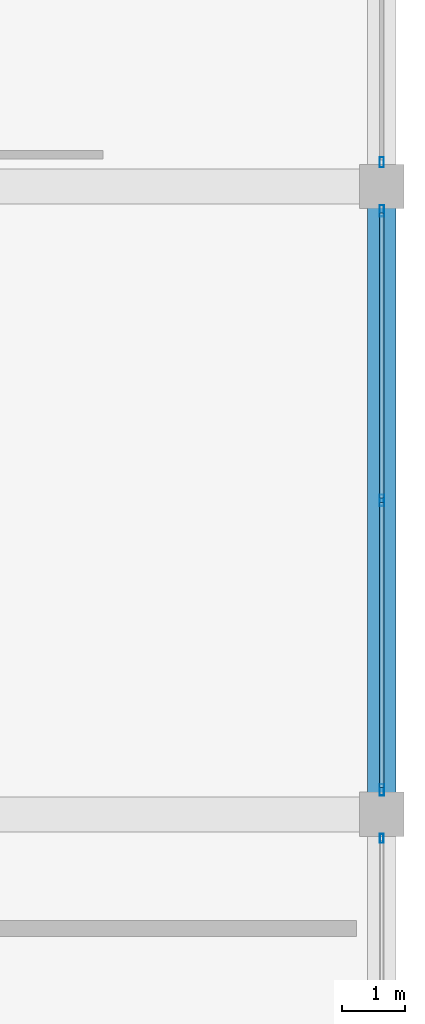
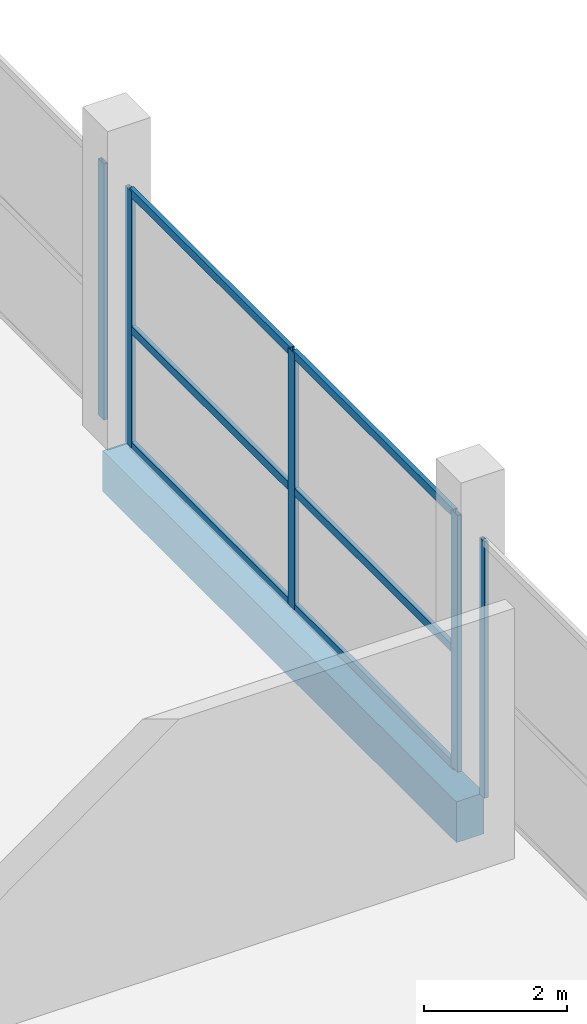
# One storey, part 36 of 72: 11 members, 1 beam, 3 elements without a shape of their own.
"""IFC4 building model written with IfcOpenShell, lengths in metres."""

from ifc_helpers import new_model, si_unit, direction, frame, origin, origin_2d, place, context, subcontext, project, spatial, rectangle, hollow_rectangle, extrude, material, layer, layer_set, material_profile, profile_set, type_object, element, aggregate, save


model = new_model("IFC4")

# Units and contexts
model_context = context("Model", 3, precision=1e-05, world=origin(), true_north=direction((0.0, 1.0)))
body_context = subcontext(model_context, "Body", "Model", "MODEL_VIEW")
ifc_project = project(units=[si_unit("LENGTHUNIT", "METRE"), si_unit("AREAUNIT", "SQUARE_METRE"), si_unit("VOLUMEUNIT", "CUBIC_METRE"), si_unit("PLANEANGLEUNIT", "RADIAN"), si_unit("MASSUNIT", "GRAM", prefix="KILO")], contexts=[model_context])

# Site, building, storey
site_placement = place(None, origin())
site = spatial("IfcSite", under=ifc_project, at=site_placement, CompositionType="ELEMENT")
building_placement = place(site_placement, origin())
building = spatial("IfcBuilding", under=site, at=building_placement, Name="Sillaruma Civic Art Gallery", CompositionType="ELEMENT")
storey_placement = place(building_placement, frame((0.0, 0.0, 10.8798828125)))
storey = spatial("IfcBuildingStorey", under=building, at=storey_placement, Name="L02", CompositionType="ELEMENT", Elevation=10.8798828125)

# Beam
ifc_material_1 = material(Name="Concrete H35 (35 MPa)", Category="concrete")
ifc_material_profile_1 = material_profile(ifc_material_1, rectangle(XDim=0.449951171875, YDim=0.699951171875, at=origin_2d()), Name="RCB450x700")
ifc_profile_set_1 = profile_set([ifc_material_profile_1], Name="Concrete H35 (35 MPa)")
beam_type = type_object("IfcBeamType", Name="BM-SPANDREL-RCB450x700", PredefinedType="SPANDREL", material=ifc_profile_set_1)
beam_placement = place(storey_placement, frame((176.39990234375, 19.800048828125, -0.60986328125), z_axis=(0.0, 1.0, 0.0), x_axis=(-1.0, 0.0, 0.0)))
element("IfcBeam", 1, at=beam_placement, inside=storey, type_object=beam_type, Name="Beam BS-03 (L01:T:3-4)", PredefinedType="SPANDREL", context=body_context, shape_type="SweptSolid", body=[
    extrude(rectangle(XDim=0.449951171875, YDim=0.699951171875, at=origin_2d()), origin(), (0.0, 0.0, 1.0), 9.89990234375),
])

# Curtain wall, member
ifc_material_2 = material(Name="Thermally Broken Extruded Aluminium 6063-T6", Category="aluminium")
ifc_layer_1 = layer(ifc_material_2, 0.139892578125, Name="Thermally Broken Extruded Aluminium 6063-T6")
ifc_layer_set_1 = layer_set([ifc_layer_1], Name="Thermally Broken Extruded Aluminium 6063-T6")
curtain_wall_type_1 = type_object("IfcCurtainWallType", Name="CW-UNI-11", PredefinedType="NOTDEFINED", material=ifc_layer_set_1)
curtain_wall_1_placement = place(storey_placement, origin())
curtain_wall_1 = element("IfcCurtainWall", 2, at=curtain_wall_1_placement, inside=storey, type_object=curtain_wall_type_1, Name="Unitised Curtain Wall CW-11 (CW-L02-ESTR-2)", PredefinedType="NOTDEFINED")
ifc_material_profile_2 = material_profile(ifc_material_2, hollow_rectangle(XDim=0.06005859375, YDim=0.139892578125, WallThickness=0.00341796875, at=origin_2d()), Name="CWM60x140")
ifc_profile_set_2 = profile_set([ifc_material_profile_2], Name="Thermally Broken Extruded Aluminium 6063-T6")
member_type_1 = type_object("IfcMemberType", Name="MEM-MUL-CWM60x140", PredefinedType="MULLION", material=ifc_profile_set_2)
member_1_placement = place(storey_placement, frame((176.39990234375, 19.419921875, 0.0), z_axis=(0.0, 0.0, 1.0), x_axis=(-1.0, 0.0, 0.0)))
member_1 = element("IfcMember", 3, at=member_1_placement, type_object=member_type_1, Name="CW-11 mullion 3", PredefinedType="MULLION", context=body_context, shape_type="SweptSolid", body=[
    extrude(hollow_rectangle(XDim=0.06005859375, YDim=0.139892578125, WallThickness=0.00341796875, at=origin_2d()), origin(), (0.0, 0.0, 1.0), 4.380126953125),
])
aggregate(curtain_wall_1, [member_1])

ifc_layer_2 = layer(ifc_material_2, 0.159912109375, Name="Thermally Broken Extruded Aluminium 6063-T6")
ifc_layer_set_2 = layer_set([ifc_layer_2], Name="Thermally Broken Extruded Aluminium 6063-T6")
curtain_wall_type_2 = type_object("IfcCurtainWallType", Name="CW-UNI-07", PredefinedType="NOTDEFINED", material=ifc_layer_set_2)
curtain_wall_2_placement = place(storey_placement, origin())
curtain_wall_2 = element("IfcCurtainWall", 4, at=curtain_wall_2_placement, inside=storey, type_object=curtain_wall_type_2, Name="Unitised Curtain Wall CW-07 (CW-L02-ESTR-4)", PredefinedType="NOTDEFINED")
ifc_material_profile_3 = material_profile(ifc_material_2, hollow_rectangle(XDim=0.06494140625, YDim=0.159912109375, WallThickness=0.00390625, at=origin_2d()), Name="CWM65x160")
ifc_profile_set_3 = profile_set([ifc_material_profile_3], Name="Thermally Broken Extruded Aluminium 6063-T6")
member_type_2 = type_object("IfcMemberType", Name="MEM-MUL-CWM65x160", PredefinedType="MULLION", material=ifc_profile_set_3)
member_2_placement = place(storey_placement, frame((176.39990234375, 30.08251953125, 0.0), z_axis=(0.0, 0.0, 1.0), x_axis=(-1.0, 0.0, 0.0)))
member_2 = element("IfcMember", 5, at=member_2_placement, type_object=member_type_2, Name="CW-07 mullion 1", PredefinedType="MULLION", context=body_context, shape_type="SweptSolid", body=[
    extrude(hollow_rectangle(XDim=0.06494140625, YDim=0.159912109375, WallThickness=0.00390625, at=origin_2d()), origin(), (0.0, 0.0, 1.0), 4.380126953125),
])
aggregate(curtain_wall_2, [member_2])

# Curtain wall, members
ifc_layer_3 = layer(ifc_material_2, 0.179931640625, Name="Thermally Broken Extruded Aluminium 6063-T6")
ifc_layer_set_3 = layer_set([ifc_layer_3], Name="Thermally Broken Extruded Aluminium 6063-T6")
curtain_wall_type_3 = type_object("IfcCurtainWallType", Name="CW-UNI-12", PredefinedType="NOTDEFINED", material=ifc_layer_set_3)
curtain_wall_3_placement = place(storey_placement, origin())
curtain_wall_3 = element("IfcCurtainWall", 6, at=curtain_wall_3_placement, inside=storey, type_object=curtain_wall_type_3, Name="Unitised Curtain Wall CW-12 (CW-L02-ESTR-3)", PredefinedType="NOTDEFINED")
ifc_material_profile_4 = material_profile(ifc_material_2, hollow_rectangle(XDim=0.070068359375, YDim=0.179931640625, WallThickness=0.00390625, at=origin_2d()), Name="CWM70x180")
ifc_profile_set_4 = profile_set([ifc_material_profile_4], Name="Thermally Broken Extruded Aluminium 6063-T6")
member_type_3 = type_object("IfcMemberType", Name="MEM-MUL-CWM70x180", PredefinedType="MULLION", material=ifc_profile_set_4)
member_3_placement = place(storey_placement, frame((176.39990234375, 20.18505859375, 0.0), z_axis=(0.0, 0.0, 1.0), x_axis=(-1.0, 0.0, 0.0)))
member_3 = element("IfcMember", 7, at=member_3_placement, type_object=member_type_3, Name="CW-12 mullion 1", PredefinedType="MULLION", context=body_context, shape_type="SweptSolid", body=[
    extrude(hollow_rectangle(XDim=0.070068359375, YDim=0.179931640625, WallThickness=0.00390625, at=origin_2d()), origin(), (0.0, 0.0, 1.0), 4.380126953125),
])
member_4_placement = place(storey_placement, frame((176.39990234375, 24.75, 0.0), z_axis=(0.0, 0.0, 1.0), x_axis=(-1.0, 0.0, 0.0)))
member_4 = element("IfcMember", 8, at=member_4_placement, type_object=member_type_3, Name="CW-12 mullion 2", PredefinedType="MULLION", context=body_context, shape_type="SweptSolid", body=[
    extrude(hollow_rectangle(XDim=0.070068359375, YDim=0.179931640625, WallThickness=0.00390625, at=origin_2d()), origin(), (0.0, 0.0, 1.0), 4.380126953125),
])
member_5_placement = place(storey_placement, frame((176.39990234375, 29.31494140625, 0.0), z_axis=(0.0, 0.0, 1.0), x_axis=(-1.0, 0.0, 0.0)))
member_5 = element("IfcMember", 9, at=member_5_placement, type_object=member_type_3, Name="CW-12 mullion 3", PredefinedType="MULLION", context=body_context, shape_type="SweptSolid", body=[
    extrude(hollow_rectangle(XDim=0.070068359375, YDim=0.179931640625, WallThickness=0.00390625, at=origin_2d()), origin(), (0.0, 0.0, 1.0), 4.380126953125),
])
ifc_material_profile_5 = material_profile(ifc_material_2, hollow_rectangle(XDim=0.070068359375, YDim=0.139892578125, WallThickness=0.00390625, at=origin_2d()), Name="CWT70x140")
ifc_profile_set_5 = profile_set([ifc_material_profile_5], Name="Thermally Broken Extruded Aluminium 6063-T6")
member_type_4 = type_object("IfcMemberType", Name="MEM-TRN-CWT70x140", PredefinedType="USERDEFINED", material=ifc_profile_set_5)
member_6_placement = place(storey_placement, frame((176.39990234375, 20.219970703125, 0.03515625), z_axis=(0.0, 1.0, 0.0), x_axis=(-1.0, 0.0, 0.0)))
member_6 = element("IfcMember", 10, at=member_6_placement, type_object=member_type_4, Name="CW-12 transom 1.1", ObjectType="TRANSOM", PredefinedType="USERDEFINED", context=body_context, shape_type="SweptSolid", body=[
    extrude(hollow_rectangle(XDim=0.070068359375, YDim=0.139892578125, WallThickness=0.00390625, at=origin_2d()), origin(), (0.0, 0.0, 1.0), 4.4951171875),
])
member_7_placement = place(storey_placement, frame((176.39990234375, 20.219970703125, 2.014892578125), z_axis=(0.0, 1.0, 0.0), x_axis=(-1.0, 0.0, 0.0)))
member_7 = element("IfcMember", 11, at=member_7_placement, type_object=member_type_4, Name="CW-12 transom 1.2", ObjectType="TRANSOM", PredefinedType="USERDEFINED", context=body_context, shape_type="SweptSolid", body=[
    extrude(hollow_rectangle(XDim=0.070068359375, YDim=0.139892578125, WallThickness=0.00390625, at=origin_2d()), origin(), (0.0, 0.0, 1.0), 4.4951171875),
])
member_8_placement = place(storey_placement, frame((176.39990234375, 20.219970703125, 4.34521484375), z_axis=(0.0, 1.0, 0.0), x_axis=(-1.0, 0.0, 0.0)))
member_8 = element("IfcMember", 12, at=member_8_placement, type_object=member_type_4, Name="CW-12 transom 1.3", ObjectType="TRANSOM", PredefinedType="USERDEFINED", context=body_context, shape_type="SweptSolid", body=[
    extrude(hollow_rectangle(XDim=0.070068359375, YDim=0.139892578125, WallThickness=0.00390625, at=origin_2d()), origin(), (0.0, 0.0, 1.0), 4.4951171875),
])
member_9_placement = place(storey_placement, frame((176.39990234375, 24.784912109375, 0.03515625), z_axis=(0.0, 1.0, 0.0), x_axis=(-1.0, 0.0, 0.0)))
member_9 = element("IfcMember", 13, at=member_9_placement, type_object=member_type_4, Name="CW-12 transom 2.1", ObjectType="TRANSOM", PredefinedType="USERDEFINED", context=body_context, shape_type="SweptSolid", body=[
    extrude(hollow_rectangle(XDim=0.070068359375, YDim=0.139892578125, WallThickness=0.00390625, at=origin_2d()), origin(), (0.0, 0.0, 1.0), 4.4951171875),
])
member_10_placement = place(storey_placement, frame((176.39990234375, 24.784912109375, 2.014892578125), z_axis=(0.0, 1.0, 0.0), x_axis=(-1.0, 0.0, 0.0)))
member_10 = element("IfcMember", 14, at=member_10_placement, type_object=member_type_4, Name="CW-12 transom 2.2", ObjectType="TRANSOM", PredefinedType="USERDEFINED", context=body_context, shape_type="SweptSolid", body=[
    extrude(hollow_rectangle(XDim=0.070068359375, YDim=0.139892578125, WallThickness=0.00390625, at=origin_2d()), origin(), (0.0, 0.0, 1.0), 4.4951171875),
])
member_11_placement = place(storey_placement, frame((176.39990234375, 24.784912109375, 4.34521484375), z_axis=(0.0, 1.0, 0.0), x_axis=(-1.0, 0.0, 0.0)))
member_11 = element("IfcMember", 15, at=member_11_placement, type_object=member_type_4, Name="CW-12 transom 2.3", ObjectType="TRANSOM", PredefinedType="USERDEFINED", context=body_context, shape_type="SweptSolid", body=[
    extrude(hollow_rectangle(XDim=0.070068359375, YDim=0.139892578125, WallThickness=0.00390625, at=origin_2d()), origin(), (0.0, 0.0, 1.0), 4.4951171875),
])
aggregate(curtain_wall_3, [member_3, member_4, member_5, member_6, member_7, member_8, member_9, member_10, member_11])

save(model, "model.ifc")
